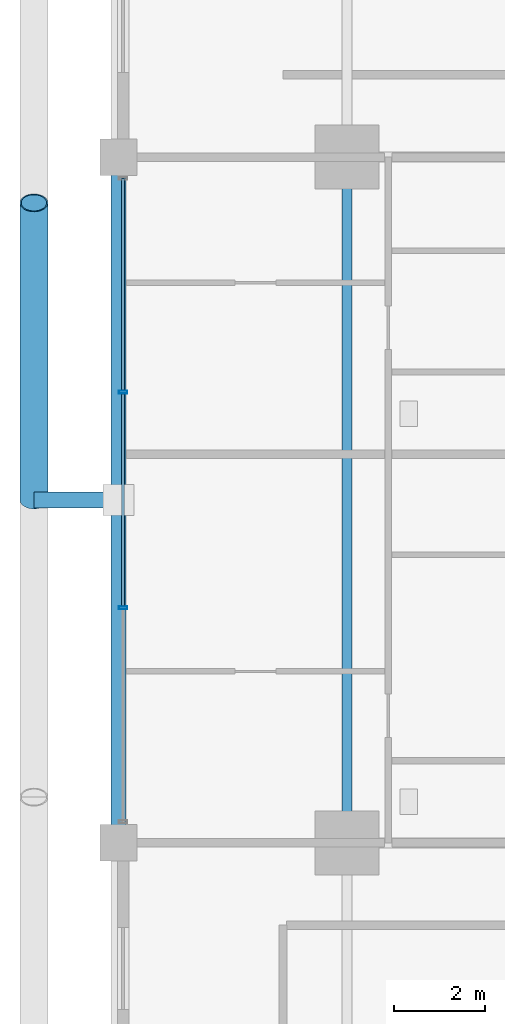
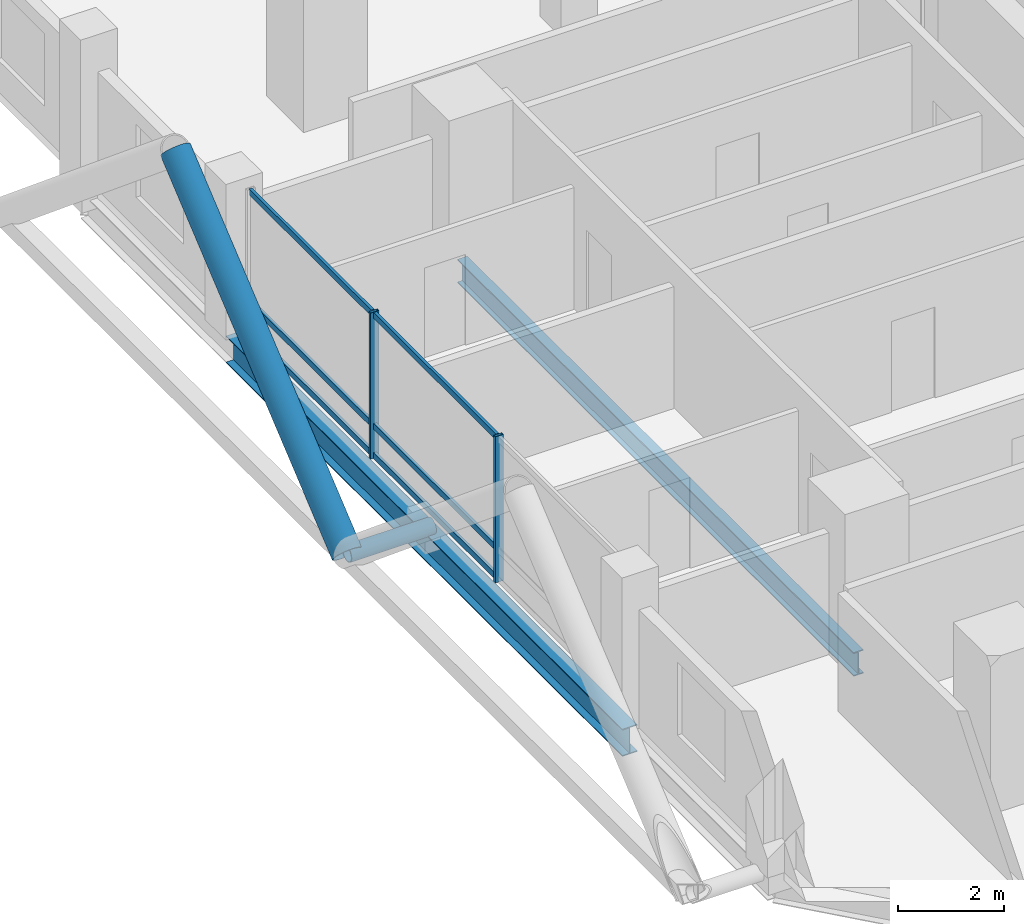
# One storey, part 8 of 27: 10 members, 2 beams, 1 element without a shape of its own.
"""IFC4 building model written with IfcOpenShell, lengths in metres."""

import ifcopenshell
import ifcopenshell.guid

model = None  # the IFC model being written
_history = None  # IfcOwnerHistory: only IFC2X3 demands one
_inside = {}  # id of a spatial element -> (the spatial element, [elements in it])
_under = {}  # id of a project, library or spatial element -> (it, [spatial elements below it])
_declared = {}  # id of a project -> (the project, [libraries it declares])
_typed = {}  # id of a type object -> (the type object, [elements of that type])
_made_of = {}  # id of a material, layer set ... -> (it, [elements and type objects made of it])


def new_model(schema):
    """Start an empty IFC model of exactly this schema.

    Asked for "IFC4X3", IfcOpenShell would pick the latest addendum, in which some entities
    have other attributes; the version numbers below select the first issue.
    IFC2X3 requires an IfcOwnerHistory on every rooted entity: one is made here for all.
    """
    global model, _history
    if schema == "IFC4X3":
        model = ifcopenshell.file(schema_version=(4, 3, 0, 0))
    else:
        model = ifcopenshell.file(schema=schema)
    _inside.clear()
    _under.clear()
    _declared.clear()
    _typed.clear()
    _made_of.clear()
    _history = None
    if model.schema == "IFC2X3":
        org = make("IfcOrganization", Name="unknown")
        user = make(
            "IfcPersonAndOrganization",
            ThePerson=make("IfcPerson", FamilyName="unknown"),
            TheOrganization=org,
        )
        app = make(
            "IfcApplication",
            ApplicationDeveloper=org,
            Version="unknown",
            ApplicationFullName="unknown",
            ApplicationIdentifier="unknown",
        )
        _history = make(
            "IfcOwnerHistory",
            OwningUser=user,
            OwningApplication=app,
            ChangeAction="ADDED",
            CreationDate=0,
        )
    return model


def make(cls, **values):
    """One entity of the class cls with the attributes given. An attribute that is None is left unset."""
    return model.create_entity(
        cls, **{name: value for name, value in values.items() if value is not None}
    )


def rooted(cls, **values):
    """An entity with a GlobalId (a new one), such as an element, a storey or a relation."""
    return make(cls, GlobalId=ifcopenshell.guid.new(), OwnerHistory=_history, **values)


def si_unit(unit_type, name, prefix=None):
    """IfcSIUnit, for example si_unit("LENGTHUNIT", "METRE", prefix="MILLI")."""
    return make("IfcSIUnit", UnitType=unit_type, Prefix=prefix, Name=name)


def assignment(units):
    """IfcUnitAssignment: the units of a project."""
    return None if units is None else make("IfcUnitAssignment", Units=units)


def point(xyz):
    """IfcCartesianPoint."""
    return None if xyz is None else make("IfcCartesianPoint", Coordinates=xyz)


def direction(xyz):
    """IfcDirection."""
    return None if xyz is None else make("IfcDirection", DirectionRatios=xyz)


def frame(location, z_axis=None, x_axis=None):
    """IfcAxis2Placement3D, a coordinate frame: its origin and axes. An axis left out is left unset."""
    return make(
        "IfcAxis2Placement3D",
        Location=point(location),
        Axis=direction(z_axis),
        RefDirection=direction(x_axis),
    )


def frame_2d(location, x_axis=None):
    """IfcAxis2Placement2D, a coordinate frame in the plane: its origin and x axis."""
    return make(
        "IfcAxis2Placement2D", Location=point(location), RefDirection=direction(x_axis)
    )


def origin():
    """The frame at (0, 0, 0) with its axes left unset."""
    return frame((0.0, 0.0, 0.0))


def origin_2d():
    """The frame at (0, 0) in the plane with its x axis left unset."""
    return frame_2d((0.0, 0.0))


def place(relative_to, where):
    """IfcLocalPlacement: puts the frame where relative to a parent placement (None: the world)."""
    return make(
        "IfcLocalPlacement", PlacementRelTo=relative_to, RelativePlacement=where
    )


def context(
    kind, dimensions, precision=None, world=None, true_north=None, identifier=None
):
    """IfcGeometricRepresentationContext, for example the 3D "Model" context."""
    return make(
        "IfcGeometricRepresentationContext",
        ContextIdentifier=identifier,
        ContextType=kind,
        CoordinateSpaceDimension=dimensions,
        Precision=precision,
        WorldCoordinateSystem=world,
        TrueNorth=true_north,
    )


def subcontext(parent, identifier, kind, view, scale=None):
    """IfcGeometricRepresentationSubContext, for example "Body" below "Model"."""
    return make(
        "IfcGeometricRepresentationSubContext",
        ContextIdentifier=identifier,
        ContextType=kind,
        ParentContext=parent,
        TargetScale=scale,
        TargetView=view,
    )


def project(units=None, contexts=None):
    """IfcProject with its units and contexts."""
    return rooted(
        "IfcProject",
        Name="project",
        RepresentationContexts=contexts,
        UnitsInContext=assignment(units),
    )


def spatial(cls, under=None, at=None, **own):
    """A site, building, storey or space (cls), placed at a placement, below another one or the project."""
    s = rooted(cls, ObjectPlacement=at, **own)
    if under is not None:
        _under.setdefault(under.id(), (under, []))[1].append(s)
    return s


def profile(cls, at=None, kind="AREA", **sizes):
    """A parametric profile (cls). Its sizes go by their IFC names, for example OverallWidth=200.0."""
    return make(cls, ProfileType=kind, Position=at, **sizes)


def hollow_rectangle(**sizes):
    """IfcRectangleHollowProfileDef."""
    return profile("IfcRectangleHollowProfileDef", **sizes)


def hollow_circle(**sizes):
    """IfcCircleHollowProfileDef."""
    return profile("IfcCircleHollowProfileDef", **sizes)


def i_section(**sizes):
    """IfcIShapeProfileDef."""
    return profile("IfcIShapeProfileDef", **sizes)


def extrude(swept, where, along, depth):
    """IfcExtrudedAreaSolid: the profile swept, set in the frame where, extruded along a direction by depth."""
    return make(
        "IfcExtrudedAreaSolid",
        SweptArea=swept,
        Position=where,
        ExtrudedDirection=direction(along),
        Depth=depth,
    )


def shape(context_of_items, identifier, shape_type, items):
    """IfcShapeRepresentation: the items that make up one representation, for example the "Body"."""
    return make(
        "IfcShapeRepresentation",
        ContextOfItems=context_of_items,
        RepresentationIdentifier=identifier,
        RepresentationType=shape_type,
        Items=items,
    )


def material(Name=None, Category=None):
    """IfcMaterial."""
    return make("IfcMaterial", Name=Name, Category=Category)


def layer(
    of_material, thickness, ventilated=None, Name=None, Category=None, Priority=None
):
    """IfcMaterialLayer: one layer of a wall or slab, of a material (None: an air gap)."""
    return make(
        "IfcMaterialLayer",
        Material=of_material,
        LayerThickness=thickness,
        IsVentilated=ventilated,
        Name=Name,
        Category=Category,
        Priority=Priority,
    )


def layer_set(layers, Name=None):
    """IfcMaterialLayerSet."""
    return make("IfcMaterialLayerSet", MaterialLayers=layers, LayerSetName=Name)


def material_profile(
    of_material, cross_section, Name=None, Category=None, Priority=None
):
    """IfcMaterialProfile: a cross section and its material."""
    return make(
        "IfcMaterialProfile",
        Name=Name,
        Material=of_material,
        Profile=cross_section,
        Priority=Priority,
        Category=Category,
    )


def profile_set(profiles, Name=None, composite=None):
    """IfcMaterialProfileSet."""
    return make(
        "IfcMaterialProfileSet",
        Name=Name,
        MaterialProfiles=profiles,
        CompositeProfile=composite,
    )


def made_of(thing, what):
    """Note that an element or type object is made of a material, layer set ...; save() writes the relation."""
    if what is not None:
        _made_of.setdefault(what.id(), (what, []))[1].append(thing)
    return thing


def type_object(cls, material=None, **own):
    """A type object (cls), such as IfcWallType, which elements share."""
    return made_of(rooted(cls, **own), material)


def element(
    cls,
    number,
    at=None,
    inside=None,
    cuts=None,
    type_object=None,
    material=None,
    context=None,
    identifier="Body",
    shape_type=None,
    held_by="IfcProductDefinitionShape",
    body=None,
    shapes=None,
    **own,
):
    """One element of the class cls, such as IfcWall. Its Tag is "e" and its number.

    at: its placement. inside: the storey or other place that contains it. cuts: it is an
    opening in that element (IfcRelVoidsElement). A single representation is given by context,
    identifier, shape_type and body (its items); several are given by shapes. held_by: the class
    of the entity that holds the representations. save() writes the other relations.
    """
    e = rooted(cls, Tag="e%d" % number, ObjectPlacement=at, **own)
    if body is not None:
        shapes = [shape(context, identifier, shape_type, body)]
    if shapes is not None:
        e.Representation = make(held_by, Representations=shapes)
    if inside is not None:
        _inside.setdefault(inside.id(), (inside, []))[1].append(e)
    if cuts is not None:
        rooted(
            "IfcRelVoidsElement", RelatingBuildingElement=cuts, RelatedOpeningElement=e
        )
    if type_object is not None:
        _typed.setdefault(type_object.id(), (type_object, []))[1].append(e)
    return made_of(e, material)


def aggregate(whole, parts):
    """IfcRelAggregates: a whole, such as a stair, and the parts it consists of."""
    return rooted("IfcRelAggregates", RelatingObject=whole, RelatedObjects=parts)


def save(model, path):
    """Write the relations noted so far, then the file.

    IfcRelAggregates (storeys below a building ...), IfcRelContainedInSpatialStructure (elements
    in a storey), IfcRelDefinesByType, IfcRelAssociatesMaterial and IfcRelDeclares: one each for
    every whole, place, type object, material and project.
    """
    for whole, parts in _under.values():
        aggregate(whole, parts)
    for where, things in _inside.values():
        rooted(
            "IfcRelContainedInSpatialStructure",
            RelatedElements=things,
            RelatingStructure=where,
        )
    for kind, things in _typed.values():
        rooted("IfcRelDefinesByType", RelatedObjects=things, RelatingType=kind)
    for what, things in _made_of.values():
        rooted("IfcRelAssociatesMaterial", RelatedObjects=things, RelatingMaterial=what)
    for by, libraries in _declared.values():
        rooted("IfcRelDeclares", RelatingContext=by, RelatedDefinitions=libraries)
    model.write(path)


model = new_model("IFC4")

# Units and contexts
model_context = context("Model", 3, precision=1e-05, world=origin(), true_north=direction((0.0, 1.0)))
body_context = subcontext(model_context, "Body", "Model", "MODEL_VIEW")
ifc_project = project(units=[si_unit("LENGTHUNIT", "METRE"), si_unit("AREAUNIT", "SQUARE_METRE"), si_unit("VOLUMEUNIT", "CUBIC_METRE"), si_unit("PLANEANGLEUNIT", "RADIAN"), si_unit("MASSUNIT", "GRAM", prefix="KILO")], contexts=[model_context])

# Site, building, storey
site_placement = place(None, origin())
site = spatial("IfcSite", under=ifc_project, at=site_placement, CompositionType="ELEMENT")
building_placement = place(site_placement, origin())
building = spatial("IfcBuilding", under=site, at=building_placement, Name="Barlavira Tower and Art Museum", CompositionType="ELEMENT")
storey_placement = place(building_placement, frame((0.0, 0.0, 50.39990234375)))
storey = spatial("IfcBuildingStorey", under=building, at=storey_placement, Name="L11", CompositionType="ELEMENT", Elevation=50.39990234375)

# Curtain wall, members
ifc_material_1 = material(Name="Low-iron coastal laminated glass", Category="glass")
ifc_layer = layer(ifc_material_1, 0.179931640625, Name="Low-iron coastal laminated glass")
ifc_layer_set = layer_set([ifc_layer], Name="Low-iron coastal laminated glass")
curtain_wall_type = type_object("IfcCurtainWallType", Name="Pale-Metal Unitised Curtain Wall Zone 1", PredefinedType="NOTDEFINED", material=ifc_layer_set)
curtain_wall_placement = place(storey_placement, origin())
curtain_wall = element("IfcCurtainWall", 1, at=curtain_wall_placement, inside=storey, type_object=curtain_wall_type, Name="L11 Curtain Wall CW1-L11-W-B3", PredefinedType="NOTDEFINED")
ifc_material_2 = material(Name="Pale anodised aluminium", Category="aluminium")
ifc_material_profile_1 = material_profile(ifc_material_2, hollow_rectangle(XDim=0.06494140625, YDim=0.179931640625, WallThickness=0.00390625, at=origin_2d()), Name="ALU-MULL 65x180x4")
ifc_profile_set_1 = profile_set([ifc_material_profile_1], Name="Pale anodised aluminium")
member_type_1 = type_object("IfcMemberType", Name="Curtain Wall Pale-Metal Mullion 65x180", PredefinedType="MULLION", material=ifc_profile_set_1)
member_1_placement = place(storey_placement, frame((-21.89990234375, 2.360107421875, 0.0), z_axis=(0.0, 0.0, 1.0), x_axis=(0.0, -1.0, 0.0)))
member_1 = element("IfcMember", 2, at=member_1_placement, type_object=member_type_1, Name="CW1-L11-W-B3 Mullion 1", PredefinedType="MULLION", context=body_context, shape_type="SweptSolid", body=[
    extrude(hollow_rectangle(XDim=0.06494140625, YDim=0.179931640625, WallThickness=0.00390625, at=origin_2d()), origin(), (0.0, 0.0, 1.0), 3.380126953125),
])
member_2_placement = place(storey_placement, frame((-21.89990234375, -2.360107421875, 0.0), z_axis=(0.0, 0.0, 1.0), x_axis=(0.0, -1.0, 0.0)))
member_2 = element("IfcMember", 3, at=member_2_placement, type_object=member_type_1, Name="CW1-L11-W-B3 Mullion 2", PredefinedType="MULLION", context=body_context, shape_type="SweptSolid", body=[
    extrude(hollow_rectangle(XDim=0.06494140625, YDim=0.179931640625, WallThickness=0.00390625, at=origin_2d()), origin(), (0.0, 0.0, 1.0), 3.380126953125),
])
ifc_material_profile_2 = material_profile(ifc_material_2, hollow_rectangle(XDim=0.06494140625, YDim=0.139892578125, WallThickness=0.00390625, at=origin_2d()), Name="ALU-TRAN 65x140x4")
ifc_profile_set_2 = profile_set([ifc_material_profile_2], Name="Pale anodised aluminium")
member_type_2 = type_object("IfcMemberType", Name="Curtain Wall Pale-Metal Transom 65x140", PredefinedType="USERDEFINED", material=ifc_profile_set_2)
member_3_placement = place(storey_placement, frame((-21.89990234375, 7.034912109375, 0.070068359375), z_axis=(0.0, -1.0, 0.0), x_axis=(1.0, 0.0, 0.0)))
member_3 = element("IfcMember", 4, at=member_3_placement, type_object=member_type_2, Name="CW1-L11-W-B3 Transom 0.1", ObjectType="TRANSOM", PredefinedType="USERDEFINED", context=body_context, shape_type="SweptSolid", body=[
    extrude(hollow_rectangle(XDim=0.06494140625, YDim=0.139892578125, WallThickness=0.00390625, at=origin_2d()), origin(), (0.0, 0.0, 1.0), 4.6298828125),
])
member_4_placement = place(storey_placement, frame((-21.89990234375, 7.034912109375, 0.744140625), z_axis=(0.0, -1.0, 0.0), x_axis=(1.0, 0.0, 0.0)))
member_4 = element("IfcMember", 5, at=member_4_placement, type_object=member_type_2, Name="CW1-L11-W-B3 Transom 0.2", ObjectType="TRANSOM", PredefinedType="USERDEFINED", context=body_context, shape_type="SweptSolid", body=[
    extrude(hollow_rectangle(XDim=0.06494140625, YDim=0.139892578125, WallThickness=0.00390625, at=origin_2d()), origin(), (0.0, 0.0, 1.0), 4.6298828125),
])
member_5_placement = place(storey_placement, frame((-21.89990234375, 7.034912109375, 3.31005859375), z_axis=(0.0, -1.0, 0.0), x_axis=(1.0, 0.0, 0.0)))
member_5 = element("IfcMember", 6, at=member_5_placement, type_object=member_type_2, Name="CW1-L11-W-B3 Transom 0.3", ObjectType="TRANSOM", PredefinedType="USERDEFINED", context=body_context, shape_type="SweptSolid", body=[
    extrude(hollow_rectangle(XDim=0.06494140625, YDim=0.139892578125, WallThickness=0.00390625, at=origin_2d()), origin(), (0.0, 0.0, 1.0), 4.6298828125),
])
member_6_placement = place(storey_placement, frame((-21.89990234375, 2.31494140625, 0.070068359375), z_axis=(0.0, -1.0, 0.0), x_axis=(1.0, 0.0, 0.0)))
member_6 = element("IfcMember", 7, at=member_6_placement, type_object=member_type_2, Name="CW1-L11-W-B3 Transom 1.1", ObjectType="TRANSOM", PredefinedType="USERDEFINED", context=body_context, shape_type="SweptSolid", body=[
    extrude(hollow_rectangle(XDim=0.06494140625, YDim=0.139892578125, WallThickness=0.00390625, at=origin_2d()), origin(), (0.0, 0.0, 1.0), 4.6298828125),
])
member_7_placement = place(storey_placement, frame((-21.89990234375, 2.31494140625, 0.744140625), z_axis=(0.0, -1.0, 0.0), x_axis=(1.0, 0.0, 0.0)))
member_7 = element("IfcMember", 8, at=member_7_placement, type_object=member_type_2, Name="CW1-L11-W-B3 Transom 1.2", ObjectType="TRANSOM", PredefinedType="USERDEFINED", context=body_context, shape_type="SweptSolid", body=[
    extrude(hollow_rectangle(XDim=0.06494140625, YDim=0.139892578125, WallThickness=0.00390625, at=origin_2d()), origin(), (0.0, 0.0, 1.0), 4.6298828125),
])
member_8_placement = place(storey_placement, frame((-21.89990234375, 2.31494140625, 3.31005859375), z_axis=(0.0, -1.0, 0.0), x_axis=(1.0, 0.0, 0.0)))
member_8 = element("IfcMember", 9, at=member_8_placement, type_object=member_type_2, Name="CW1-L11-W-B3 Transom 1.3", ObjectType="TRANSOM", PredefinedType="USERDEFINED", context=body_context, shape_type="SweptSolid", body=[
    extrude(hollow_rectangle(XDim=0.06494140625, YDim=0.139892578125, WallThickness=0.00390625, at=origin_2d()), origin(), (0.0, 0.0, 1.0), 4.6298828125),
])
aggregate(curtain_wall, [member_1, member_2, member_3, member_4, member_5, member_6, member_7, member_8])

# Members
ifc_material_3 = material(Name="Steel S355", Category="steel")
ifc_material_profile_3 = material_profile(ifc_material_3, hollow_circle(Radius=0.304931640625, WallThickness=0.028076171875, at=origin_2d()), Name="CHS 610.0x28.0")
ifc_profile_set_3 = profile_set([ifc_material_profile_3], Name="Steel S355")
member_type_3 = type_object("IfcMemberType", Name="Pale-Metal Exoskeleton Diagrid Tube CHS 610x28 Steel S355", PredefinedType="BRACE", material=ifc_profile_set_3)
member_9_placement = place(storey_placement, frame((-23.85009765625, 0.0, -0.119873046875), z_axis=(0.0, 0.769196053329, 0.639012857104), x_axis=(-1.0, 0.0, 0.0)))
element("IfcMember", 10, at=member_9_placement, inside=storey, type_object=member_type_3, Name="L11 Exoskeleton Diagrid Tube W", PredefinedType="BRACE", context=body_context, shape_type="SweptSolid", body=[
    extrude(hollow_circle(Radius=0.304931640625, WallThickness=0.028076171875, at=origin_2d()), origin(), (0.0, 0.0, 1.0), 8.450439453125),
])
ifc_material_profile_4 = material_profile(ifc_material_3, hollow_circle(Radius=0.177734375, WallThickness=0.01611328125, at=origin_2d()), Name="CHS 355.6x16.0")
ifc_profile_set_4 = profile_set([ifc_material_profile_4], Name="Steel S355")
member_type_4 = type_object("IfcMemberType", Name="Pale-Metal Exoskeleton Tie Strut CHS 356x16 Steel S355", PredefinedType="STRUT", material=ifc_profile_set_4)
member_10_placement = place(storey_placement, frame((-23.85009765625, 0.0, -0.119873046875), z_axis=(1.0, 0.0, 0.0), x_axis=(0.0, 1.0, 0.0)))
element("IfcMember", 11, at=member_10_placement, inside=storey, type_object=member_type_4, Name="L11 Exoskeleton Tie Strut W2", PredefinedType="STRUT", context=body_context, shape_type="SweptSolid", body=[
    extrude(hollow_circle(Radius=0.177734375, WallThickness=0.01611328125, at=origin_2d()), origin(), (0.0, 0.0, 1.0), 1.85009765625),
])

# Beams
ifc_material_profile_5 = material_profile(ifc_material_3, i_section(OverallWidth=0.327880859375, OverallDepth=0.62890625, WebThickness=0.013916015625, FlangeThickness=0.021484375, at=origin_2d()), Name="W610x174.0")
ifc_profile_set_5 = profile_set([ifc_material_profile_5], Name="Steel S355")
beam_type_1 = type_object("IfcBeamType", Name="Perimeter Spandrel Edge Beam W610x174 Steel S355", PredefinedType="SPANDREL", material=ifc_profile_set_5)
beam_1_placement = place(storey_placement, frame((-22.0, -7.5, -0.534423828125), z_axis=(0.0, 1.0, 0.0), x_axis=(-1.0, 0.0, 0.0)))
element("IfcBeam", 12, at=beam_1_placement, inside=storey, type_object=beam_type_1, Name="L11 Spandrel 14", PredefinedType="SPANDREL", context=body_context, shape_type="SweptSolid", body=[
    extrude(i_section(OverallWidth=0.327880859375, OverallDepth=0.62890625, WebThickness=0.013916015625, FlangeThickness=0.021484375, at=origin_2d()), origin(), (0.0, 0.0, 1.0), 15.0),
])
ifc_material_profile_6 = material_profile(ifc_material_3, i_section(OverallWidth=0.214111328125, OverallDepth=0.549072265625, WebThickness=0.0146484375, FlangeThickness=0.023681640625, at=origin_2d()), Name="W530x138.0")
ifc_profile_set_6 = profile_set([ifc_material_profile_6], Name="Steel S355")
beam_type_2 = type_object("IfcBeamType", Name="Zone 1 Primary Floor Girder W530x138 Steel S355", PredefinedType="BEAM", material=ifc_profile_set_6)
beam_2_placement = place(storey_placement, frame((-17.0, -7.5, -0.494384765625), z_axis=(0.0, 1.0, 0.0), x_axis=(-1.0, 0.0, 0.0)))
element("IfcBeam", 13, at=beam_2_placement, inside=storey, type_object=beam_type_2, Name="L11 Girder M-W2", PredefinedType="BEAM", context=body_context, shape_type="SweptSolid", body=[
    extrude(i_section(OverallWidth=0.214111328125, OverallDepth=0.549072265625, WebThickness=0.0146484375, FlangeThickness=0.023681640625, at=origin_2d()), origin(), (0.0, 0.0, 1.0), 15.0),
])

save(model, "model.ifc")
